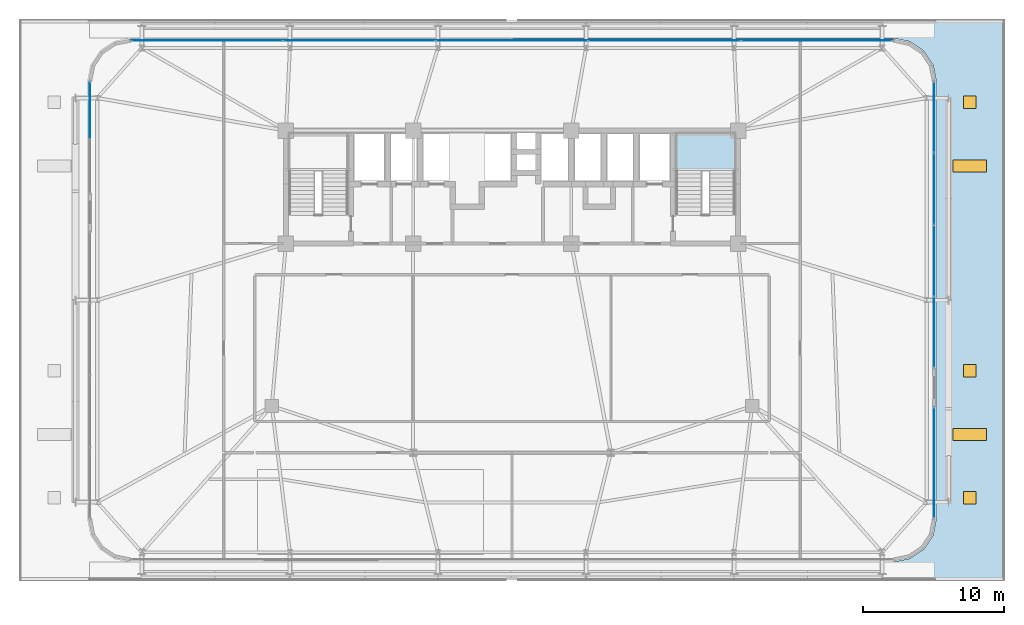
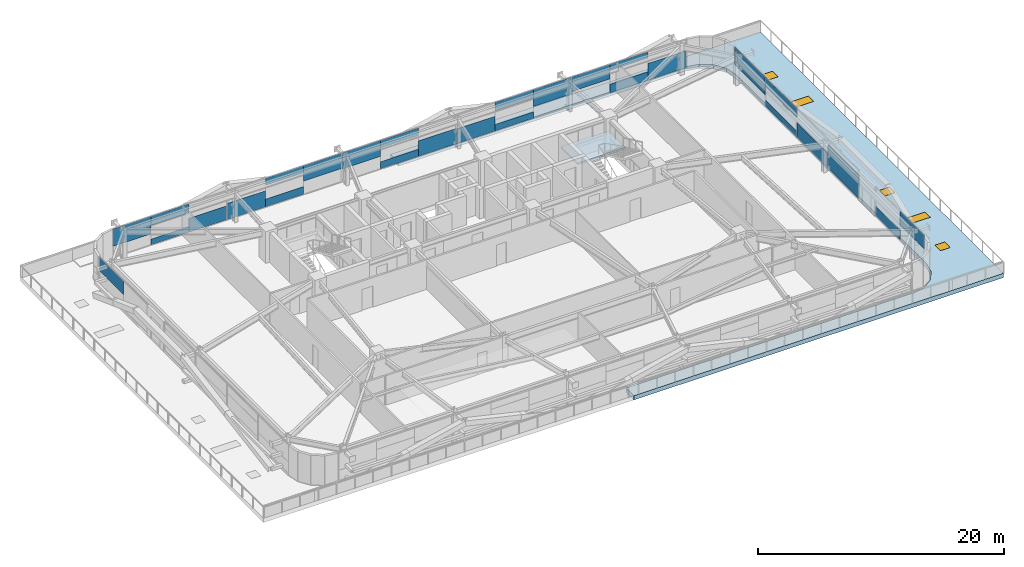
# One storey, part 40 of 56: 28 plates, 3 doors, 2 slabs, 2 windows, 5 openings, 5 elements without a shape of their own.
"""IFC4 building model written with IfcOpenShell, lengths in metres."""

from ifc_helpers import new_model, si_unit, direction, frame, origin, origin_2d, place, context, subcontext, project, spatial, polyline, rectangle, outline, extrude, source, transform, mapped, material, layer, layer_set, type_object, element, fill, aggregate, save


model = new_model("IFC4")

# Units and contexts
model_context = context("Model", 3, precision=1e-05, world=origin(), true_north=direction((0.0, 1.0)))
body_context = subcontext(model_context, "Body", "Model", "MODEL_VIEW")
ifc_project = project(units=[si_unit("LENGTHUNIT", "METRE"), si_unit("AREAUNIT", "SQUARE_METRE"), si_unit("VOLUMEUNIT", "CUBIC_METRE"), si_unit("PLANEANGLEUNIT", "RADIAN"), si_unit("MASSUNIT", "GRAM", prefix="KILO")], contexts=[model_context])

# Site, building, storey
site_placement = place(None, origin())
site = spatial("IfcSite", under=ifc_project, at=site_placement, CompositionType="ELEMENT")
building_placement = place(site_placement, origin())
building = spatial("IfcBuilding", under=site, at=building_placement, Name="Taldren Reach Tower", CompositionType="ELEMENT")
storey_placement = place(building_placement, frame((0.0, 0.0, 16.800048828125)))
storey = spatial("IfcBuildingStorey", under=building, at=storey_placement, Name="L04", CompositionType="ELEMENT", Elevation=16.800048828125)

# Stair, slab
ifc_material_1 = material(Name="Concrete S50 (50 MPa)", Category="concrete")
stair_type = type_object("IfcStairType", Name="ST-HT-315", PredefinedType="HALF_TURN_STAIR", material=ifc_material_1)
stair_placement = place(storey_placement, origin())
stair = element("IfcStair", 1, at=stair_placement, inside=storey, type_object=stair_type, Name="Fire-isolated exit stair ST2 L04", PredefinedType="HALF_TURN_STAIR")
ifc_layer_1 = layer(ifc_material_1, 0.179931640625)
ifc_layer_set_1 = layer_set([ifc_layer_1], Name="Concrete S50 (50 MPa)")
slab_type_1 = type_object("IfcSlabType", Name="SL-LAND-180", PredefinedType="LANDING", material=ifc_layer_set_1)
slab_1_placement = place(storey_placement, frame((0.0, 0.0, 1.39501953125)))
slab_1 = element("IfcSlab", 2, at=slab_1_placement, type_object=slab_type_1, Name="ST2 landing 1", PredefinedType="LANDING", context=body_context, shape_type="SweptSolid", body=[
    extrude(outline(polyline([(46.43994140625, 29.135009765625), (50.9599609375, 29.135009765625), (50.9599609375, 31.8701171875), (46.43994140625, 31.8701171875), (46.43994140625, 29.135009765625)])), origin(), (0.0, 0.0, 1.0), 0.179931640625),
])
aggregate(stair, [slab_1])

# Slab, openings, doors, windows
ifc_layer_2 = layer(ifc_material_1, 0.419921875)
ifc_layer_set_2 = layer_set([ifc_layer_2], Name="Concrete S50 (50 MPa)")
slab_type_2 = type_object("IfcSlabType", Name="SL-TERR-420", PredefinedType="FLOOR", material=ifc_layer_set_2)
slab_2_placement = place(storey_placement, frame((0.0, 0.0, -0.420166015625)))
slab_2 = element("IfcSlab", 3, at=slab_2_placement, inside=storey, type_object=slab_type_2, Name="Podium roof terrace East L04", PredefinedType="FLOOR", context=body_context, shape_type="SweptSolid", body=[
    extrude(outline(polyline([(35.02001953125, 39.800048828125), (69.800048828125, 39.800048828125), (69.800048828125, 0.199951171875), (35.02001953125, 0.199951171875), (35.02001953125, 1.469970703125), (62.0, 1.469970703125), (62.0029296875, 1.47021484375), (62.005859375, 1.470458984375), (63.15380859375, 1.698974609375), (63.15673828125, 1.69970703125), (63.159423828125, 1.70068359375), (63.162109375, 1.701904296875), (63.164794921875, 1.703369140625), (64.137939453125, 2.353759765625), (64.140380859375, 2.35546875), (64.142578125, 2.357421875), (64.14453125, 2.359619140625), (64.146240234375, 2.362060546875), (64.796630859375, 3.335205078125), (64.798095703125, 3.337890625), (64.79931640625, 3.340576171875), (64.80029296875, 3.34326171875), (64.801025390625, 3.34619140625), (65.029541015625, 4.494140625), (65.02978515625, 4.4970703125), (65.030029296875, 4.5), (65.030029296875, 35.5), (65.02978515625, 35.5029296875), (65.029541015625, 35.505859375), (64.801025390625, 36.65380859375), (64.80029296875, 36.65673828125), (64.79931640625, 36.659423828125), (64.798095703125, 36.662109375), (64.796630859375, 36.664794921875), (64.146240234375, 37.637939453125), (64.14453125, 37.640380859375), (64.142578125, 37.642578125), (64.140380859375, 37.64453125), (64.137939453125, 37.646240234375), (63.164794921875, 38.296630859375), (63.162109375, 38.298095703125), (63.159423828125, 38.29931640625), (63.15673828125, 38.30029296875), (63.15380859375, 38.301025390625), (62.005859375, 38.529541015625), (62.0029296875, 38.52978515625), (62.0, 38.530029296875), (35.02001953125, 38.530029296875), (35.02001953125, 39.800048828125)])), origin(), (0.0, 0.0, 1.0), 0.420166015625),
])
opening_1_placement = place(slab_2_placement, frame((67.39990234375, 10.5, -0.010009765625)))
opening_1 = element("IfcOpeningElement", 4, at=opening_1_placement, cuts=slab_2, Name="Opening SK-2408", PredefinedType="OPENING", context=body_context, shape_type="SweptSolid", body=[
    extrude(rectangle(XDim=2.39990234375, YDim=0.85009765625, at=origin_2d()), origin(), (0.0, 0.0, 1.0), 0.440185546875),
])
opening_2_placement = place(slab_2_placement, frame((67.39990234375, 29.5, -0.010009765625)))
opening_2 = element("IfcOpeningElement", 5, at=opening_2_placement, cuts=slab_2, Name="Opening SK-2408", PredefinedType="OPENING", context=body_context, shape_type="SweptSolid", body=[
    extrude(rectangle(XDim=2.39990234375, YDim=0.85009765625, at=origin_2d()), origin(), (0.0, 0.0, 1.0), 0.440185546875),
])
opening_3_placement = place(slab_2_placement, frame((67.39990234375, 6.0, -0.010009765625)))
opening_3 = element("IfcOpeningElement", 6, at=opening_3_placement, cuts=slab_2, Name="Opening RH-090", PredefinedType="OPENING", context=body_context, shape_type="SweptSolid", body=[
    extrude(rectangle(XDim=0.89990234375, YDim=0.89990234375, at=origin_2d()), origin(), (0.0, 0.0, 1.0), 0.440185546875),
])
opening_4_placement = place(slab_2_placement, frame((67.39990234375, 15.0, -0.010009765625)))
opening_4 = element("IfcOpeningElement", 7, at=opening_4_placement, cuts=slab_2, Name="Opening RH-090", PredefinedType="OPENING", context=body_context, shape_type="SweptSolid", body=[
    extrude(rectangle(XDim=0.89990234375, YDim=0.89990234375, at=origin_2d()), origin(), (0.0, 0.0, 1.0), 0.440185546875),
])
opening_5_placement = place(slab_2_placement, frame((67.39990234375, 34.0, -0.010009765625)))
opening_5 = element("IfcOpeningElement", 8, at=opening_5_placement, cuts=slab_2, Name="Opening RH-090", PredefinedType="OPENING", context=body_context, shape_type="SweptSolid", body=[
    extrude(rectangle(XDim=0.89990234375, YDim=0.89990234375, at=origin_2d()), origin(), (0.0, 0.0, 1.0), 0.440185546875),
])
ifc_material_2 = material(Name="Insulated Aluminium Roof Maintenance Access Hatch", Category="aluminium")
door_type = type_object("IfcDoorType", Name="HD-ROOF-900", OperationType="NOTDEFINED", PredefinedType="TRAPDOOR", material=ifc_material_2)
door_1_placement = place(slab_2_placement, frame((67.39990234375, 6.0, 0.3701171875)))
door_1 = element("IfcDoor", 9, at=door_1_placement, inside=storey, type_object=door_type, Name="Podium maintenance roof hatch RH-L04-E1", OperationType="NOTDEFINED", OverallHeight=0.89990234375, OverallWidth=0.89990234375, PredefinedType="TRAPDOOR", context=body_context, shape_type="SweptSolid", body=[
    extrude(rectangle(XDim=0.89990234375, YDim=0.89990234375, at=origin_2d()), origin(), (0.0, 0.0, 1.0), 0.050048828125),
])
fill(opening_3, door_1)
door_2_placement = place(slab_2_placement, frame((67.39990234375, 15.0, 0.3701171875)))
door_2 = element("IfcDoor", 10, at=door_2_placement, inside=storey, type_object=door_type, Name="Podium maintenance roof hatch RH-L04-E2", OperationType="NOTDEFINED", OverallHeight=0.89990234375, OverallWidth=0.89990234375, PredefinedType="TRAPDOOR", context=body_context, shape_type="SweptSolid", body=[
    extrude(rectangle(XDim=0.89990234375, YDim=0.89990234375, at=origin_2d()), origin(), (0.0, 0.0, 1.0), 0.050048828125),
])
fill(opening_4, door_2)
door_3_placement = place(slab_2_placement, frame((67.39990234375, 34.0, 0.3701171875)))
door_3 = element("IfcDoor", 11, at=door_3_placement, inside=storey, type_object=door_type, Name="Podium maintenance roof hatch RH-L04-E3", OperationType="NOTDEFINED", OverallHeight=0.89990234375, OverallWidth=0.89990234375, PredefinedType="TRAPDOOR", context=body_context, shape_type="SweptSolid", body=[
    extrude(rectangle(XDim=0.89990234375, YDim=0.89990234375, at=origin_2d()), origin(), (0.0, 0.0, 1.0), 0.050048828125),
])
fill(opening_5, door_3)
ifc_material_3 = material(Name="Thermally Broken Aluminium and Low-E IGU", Category="aluminium")
window_type = type_object("IfcWindowType", Name="SK-POD-2400", PartitioningType="SINGLE_PANEL", PredefinedType="SKYLIGHT", material=ifc_material_3)
window_1_placement = place(slab_2_placement, frame((67.39990234375, 10.5, 0.3701171875)))
window_1 = element("IfcWindow", 12, at=window_1_placement, inside=storey, type_object=window_type, Name="Podium clinic skylight SK-L04-3", OverallHeight=0.85009765625, OverallWidth=2.39990234375, PartitioningType="SINGLE_PANEL", PredefinedType="SKYLIGHT", context=body_context, shape_type="SweptSolid", body=[
    extrude(rectangle(XDim=2.39990234375, YDim=0.85009765625, at=origin_2d()), origin(), (0.0, 0.0, 1.0), 0.050048828125),
])
fill(opening_1, window_1)
window_2_placement = place(slab_2_placement, frame((67.39990234375, 29.5, 0.3701171875)))
window_2 = element("IfcWindow", 13, at=window_2_placement, inside=storey, type_object=window_type, Name="Podium clinic skylight SK-L04-4", OverallHeight=0.85009765625, OverallWidth=2.39990234375, PartitioningType="SINGLE_PANEL", PredefinedType="SKYLIGHT", context=body_context, shape_type="SweptSolid", body=[
    extrude(rectangle(XDim=2.39990234375, YDim=0.85009765625, at=origin_2d()), origin(), (0.0, 0.0, 1.0), 0.050048828125),
])
fill(opening_2, window_2)

# Curtain wall, plates
ifc_material_4 = material(Name="Aluminium and Low-E Glass Unitised System", Category="aluminium")
ifc_layer_3 = layer(ifc_material_4, 0.159912109375)
ifc_layer_set_3 = layer_set([ifc_layer_3], Name="Aluminium and Low-E Glass Unitised System")
curtain_wall_type = type_object("IfcCurtainWallType", Name="CW-SYS-2", PredefinedType="NOTDEFINED", material=ifc_layer_set_3)
curtain_wall_1_placement = place(storey_placement, origin())
curtain_wall_1 = element("IfcCurtainWall", 14, at=curtain_wall_1_placement, inside=storey, type_object=curtain_wall_type, Name="Unitised curtain wall CW-L04-N", PredefinedType="NOTDEFINED")
ifc_material_5 = material(Name="Solar-Control Double Glazed IGU", Category="glass")
ifc_layer_4 = layer(ifc_material_5, 0.031982421875)
ifc_layer_set_4 = layer_set([ifc_layer_4], Name="Solar-Control Double Glazed IGU")
plate_type = type_object("IfcPlateType", Name="CW-PNL-IGU32", PredefinedType="CURTAIN_PANEL", material=ifc_layer_set_4)
shared_shape_1 = source(origin(), body_context, "Body", "SweptSolid", [
    extrude(rectangle(XDim=3.5673828125, YDim=0.031982421875, at=origin_2d()), origin(), (0.0, 0.0, 1.0), 1.7314453125),
])
plate_1_placement = place(storey_placement, frame((9.8486328125, 38.360107421875, 1.1435546875), z_axis=(0.0, 0.0, 1.0), x_axis=(-1.0, 0.0, 0.0)))
plate_1 = element("IfcPlate", 15, at=plate_1_placement, type_object=plate_type, Name="CW-2 panel 5.1 part 4", PredefinedType="CURTAIN_PANEL", context=body_context, shape_type="MappedRepresentation", body=[
    mapped(shared_shape_1, transform((0.0, 0.0, 0.0), scale=1.0)),
])
shared_shape_2 = source(origin(), body_context, "Body", "SweptSolid", [
    extrude(rectangle(XDim=3.5673828125, YDim=0.031982421875, at=origin_2d()), origin(), (0.0, 0.0, 1.0), 0.554931640625),
])
plate_2_placement = place(storey_placement, frame((13.416259765625, 38.360107421875, 0.05517578125), z_axis=(0.0, 0.0, 1.0), x_axis=(-1.0, 0.0, 0.0)))
plate_2 = element("IfcPlate", 16, at=plate_2_placement, type_object=plate_type, Name="CW-2 panel 5.1 part 2", PredefinedType="CURTAIN_PANEL", context=body_context, shape_type="MappedRepresentation", body=[
    mapped(shared_shape_2, transform((0.0, 0.0, 0.0), scale=1.0)),
])
shared_shape_3 = source(origin(), body_context, "Body", "SweptSolid", [
    extrude(rectangle(XDim=3.5673828125, YDim=0.031982421875, at=origin_2d()), origin(), (0.0, 0.0, 1.0), 0.904296875),
])
plate_3_placement = place(storey_placement, frame((13.416259765625, 38.360107421875, 1.970703125), z_axis=(0.0, 0.0, 1.0), x_axis=(-1.0, 0.0, 0.0)))
plate_3 = element("IfcPlate", 17, at=plate_3_placement, type_object=plate_type, Name="CW-2 panel 5.1 part 3", PredefinedType="CURTAIN_PANEL", context=body_context, shape_type="MappedRepresentation", body=[
    mapped(shared_shape_3, transform((0.0, 0.0, 0.0), scale=1.0)),
])
shared_shape_4 = source(origin(), body_context, "Body", "SweptSolid", [
    extrude(rectangle(XDim=3.5673828125, YDim=0.031982421875, at=origin_2d()), origin(), (0.0, 0.0, 1.0), 1.38232421875),
])
plate_4_placement = place(storey_placement, frame((16.983642578125, 38.360107421875, 0.054931640625), z_axis=(0.0, 0.0, 1.0), x_axis=(-1.0, 0.0, 0.0)))
plate_4 = element("IfcPlate", 18, at=plate_4_placement, type_object=plate_type, Name="CW-2 panel 5.1 part 1", PredefinedType="CURTAIN_PANEL", context=body_context, shape_type="MappedRepresentation", body=[
    mapped(shared_shape_4, transform((0.0, 0.0, 0.0), scale=1.0)),
])
shared_shape_5 = source(origin(), body_context, "Body", "SweptSolid", [
    extrude(rectangle(XDim=3.578369140625, YDim=0.031982421875, at=origin_2d()), origin(), (0.0, 0.0, 1.0), 1.602294921875),
])
plate_5_placement = place(storey_placement, frame((20.62158203125, 38.360107421875, 0.05517578125), z_axis=(0.0, 0.0, 1.0), x_axis=(-1.0, 0.0, 0.0)))
plate_5 = element("IfcPlate", 19, at=plate_5_placement, type_object=plate_type, Name="CW-2 panel 4.1 part 4", PredefinedType="CURTAIN_PANEL", context=body_context, shape_type="MappedRepresentation", body=[
    mapped(shared_shape_5, transform((0.0, 0.0, 0.0), scale=1.0)),
])
shared_shape_6 = source(origin(), body_context, "Body", "SweptSolid", [
    extrude(rectangle(XDim=3.578369140625, YDim=0.031982421875, at=origin_2d()), origin(), (0.0, 0.0, 1.0), 0.7724609375),
])
plate_6_placement = place(storey_placement, frame((24.199951171875, 38.360107421875, 0.054931640625), z_axis=(0.0, 0.0, 1.0), x_axis=(-1.0, 0.0, 0.0)))
plate_6 = element("IfcPlate", 20, at=plate_6_placement, type_object=plate_type, Name="CW-2 panel 4.1 part 2", PredefinedType="CURTAIN_PANEL", context=body_context, shape_type="MappedRepresentation", body=[
    mapped(shared_shape_6, transform((0.0, 0.0, 0.0), scale=1.0)),
])
shared_shape_7 = source(origin(), body_context, "Body", "SweptSolid", [
    extrude(rectangle(XDim=3.578369140625, YDim=0.031982421875, at=origin_2d()), origin(), (0.0, 0.0, 1.0), 0.68408203125),
])
plate_7_placement = place(storey_placement, frame((24.199951171875, 38.360107421875, 2.19091796875), z_axis=(0.0, 0.0, 1.0), x_axis=(-1.0, 0.0, 0.0)))
plate_7 = element("IfcPlate", 21, at=plate_7_placement, type_object=plate_type, Name="CW-2 panel 4.1 part 3", PredefinedType="CURTAIN_PANEL", context=body_context, shape_type="MappedRepresentation", body=[
    mapped(shared_shape_7, transform((0.0, 0.0, 0.0), scale=1.0)),
])
shared_shape_8 = source(origin(), body_context, "Body", "SweptSolid", [
    extrude(rectangle(XDim=3.578369140625, YDim=0.031982421875, at=origin_2d()), origin(), (0.0, 0.0, 1.0), 1.513916015625),
])
plate_8_placement = place(storey_placement, frame((27.7783203125, 38.360107421875, 1.36083984375), z_axis=(0.0, 0.0, 1.0), x_axis=(-1.0, 0.0, 0.0)))
plate_8 = element("IfcPlate", 22, at=plate_8_placement, type_object=plate_type, Name="CW-2 panel 4.1 part 1", PredefinedType="CURTAIN_PANEL", context=body_context, shape_type="MappedRepresentation", body=[
    mapped(shared_shape_8, transform((0.0, 0.0, 0.0), scale=1.0)),
])
shared_shape_9 = source(origin(), body_context, "Body", "SweptSolid", [
    extrude(rectangle(XDim=3.578369140625, YDim=0.031982421875, at=origin_2d()), origin(), (0.0, 0.0, 1.0), 1.588134765625),
])
plate_9_placement = place(storey_placement, frame((31.421630859375, 38.360107421875, 1.28662109375), z_axis=(0.0, 0.0, 1.0), x_axis=(-1.0, 0.0, 0.0)))
plate_9 = element("IfcPlate", 23, at=plate_9_placement, type_object=plate_type, Name="CW-2 panel 3.1 part 4", PredefinedType="CURTAIN_PANEL", context=body_context, shape_type="MappedRepresentation", body=[
    mapped(shared_shape_9, transform((0.0, 0.0, 0.0), scale=1.0)),
])
shared_shape_10 = source(origin(), body_context, "Body", "SweptSolid", [
    extrude(rectangle(XDim=3.578369140625, YDim=0.031982421875, at=origin_2d()), origin(), (0.0, 0.0, 1.0), 0.698486328125),
])
plate_10_placement = place(storey_placement, frame((35.0, 38.360107421875, 0.0546875), z_axis=(0.0, 0.0, 1.0), x_axis=(-1.0, 0.0, 0.0)))
plate_10 = element("IfcPlate", 24, at=plate_10_placement, type_object=plate_type, Name="CW-2 panel 3.1 part 2", PredefinedType="CURTAIN_PANEL", context=body_context, shape_type="MappedRepresentation", body=[
    mapped(shared_shape_10, transform((0.0, 0.0, 0.0), scale=1.0)),
])
shared_shape_11 = source(origin(), body_context, "Body", "SweptSolid", [
    extrude(rectangle(XDim=3.578369140625, YDim=0.031982421875, at=origin_2d()), origin(), (0.0, 0.0, 1.0), 0.75830078125),
])
plate_11_placement = place(storey_placement, frame((35.0, 38.360107421875, 2.11669921875), z_axis=(0.0, 0.0, 1.0), x_axis=(-1.0, 0.0, 0.0)))
plate_11 = element("IfcPlate", 25, at=plate_11_placement, type_object=plate_type, Name="CW-2 panel 3.1 part 3", PredefinedType="CURTAIN_PANEL", context=body_context, shape_type="MappedRepresentation", body=[
    mapped(shared_shape_11, transform((0.0, 0.0, 0.0), scale=1.0)),
])
shared_shape_12 = source(origin(), body_context, "Body", "SweptSolid", [
    extrude(rectangle(XDim=3.578369140625, YDim=0.031982421875, at=origin_2d()), origin(), (0.0, 0.0, 1.0), 1.528076171875),
])
plate_12_placement = place(storey_placement, frame((38.578369140625, 38.360107421875, 0.05517578125), z_axis=(0.0, 0.0, 1.0), x_axis=(-1.0, 0.0, 0.0)))
plate_12 = element("IfcPlate", 26, at=plate_12_placement, type_object=plate_type, Name="CW-2 panel 3.1 part 1", PredefinedType="CURTAIN_PANEL", context=body_context, shape_type="MappedRepresentation", body=[
    mapped(shared_shape_12, transform((0.0, 0.0, 0.0), scale=1.0)),
])
shared_shape_13 = source(origin(), body_context, "Body", "SweptSolid", [
    extrude(rectangle(XDim=3.578369140625, YDim=0.031982421875, at=origin_2d()), origin(), (0.0, 0.0, 1.0), 1.453857421875),
])
plate_13_placement = place(storey_placement, frame((42.2216796875, 38.360107421875, 0.05517578125), z_axis=(0.0, 0.0, 1.0), x_axis=(-1.0, 0.0, 0.0)))
plate_13 = element("IfcPlate", 27, at=plate_13_placement, type_object=plate_type, Name="CW-2 panel 2.1 part 4", PredefinedType="CURTAIN_PANEL", context=body_context, shape_type="MappedRepresentation", body=[
    mapped(shared_shape_13, transform((0.0, 0.0, 0.0), scale=1.0)),
])
shared_shape_14 = source(origin(), body_context, "Body", "SweptSolid", [
    extrude(rectangle(XDim=3.578369140625, YDim=0.031982421875, at=origin_2d()), origin(), (0.0, 0.0, 1.0), 0.624267578125),
])
plate_14_placement = place(storey_placement, frame((45.800048828125, 38.360107421875, 0.0546875), z_axis=(0.0, 0.0, 1.0), x_axis=(-1.0, 0.0, 0.0)))
plate_14 = element("IfcPlate", 28, at=plate_14_placement, type_object=plate_type, Name="CW-2 panel 2.1 part 2", PredefinedType="CURTAIN_PANEL", context=body_context, shape_type="MappedRepresentation", body=[
    mapped(shared_shape_14, transform((0.0, 0.0, 0.0), scale=1.0)),
])
shared_shape_15 = source(origin(), body_context, "Body", "SweptSolid", [
    extrude(rectangle(XDim=3.578369140625, YDim=0.031982421875, at=origin_2d()), origin(), (0.0, 0.0, 1.0), 0.83251953125),
])
plate_15_placement = place(storey_placement, frame((45.800048828125, 38.360107421875, 2.04248046875), z_axis=(0.0, 0.0, 1.0), x_axis=(-1.0, 0.0, 0.0)))
plate_15 = element("IfcPlate", 29, at=plate_15_placement, type_object=plate_type, Name="CW-2 panel 2.1 part 3", PredefinedType="CURTAIN_PANEL", context=body_context, shape_type="MappedRepresentation", body=[
    mapped(shared_shape_15, transform((0.0, 0.0, 0.0), scale=1.0)),
])
shared_shape_16 = source(origin(), body_context, "Body", "SweptSolid", [
    extrude(rectangle(XDim=3.578369140625, YDim=0.031982421875, at=origin_2d()), origin(), (0.0, 0.0, 1.0), 1.662353515625),
])
plate_16_placement = place(storey_placement, frame((49.37841796875, 38.360107421875, 1.21240234375), z_axis=(0.0, 0.0, 1.0), x_axis=(-1.0, 0.0, 0.0)))
plate_16 = element("IfcPlate", 30, at=plate_16_placement, type_object=plate_type, Name="CW-2 panel 2.1 part 1", PredefinedType="CURTAIN_PANEL", context=body_context, shape_type="MappedRepresentation", body=[
    mapped(shared_shape_16, transform((0.0, 0.0, 0.0), scale=1.0)),
])
shared_shape_17 = source(origin(), body_context, "Body", "SweptSolid", [
    extrude(rectangle(XDim=3.5673828125, YDim=0.031982421875, at=origin_2d()), origin(), (0.0, 0.0, 1.0), 1.442138671875),
])
plate_17_placement = place(storey_placement, frame((53.016357421875, 38.360107421875, 1.4326171875), z_axis=(0.0, 0.0, 1.0), x_axis=(-1.0, 0.0, 0.0)))
plate_17 = element("IfcPlate", 31, at=plate_17_placement, type_object=plate_type, Name="CW-2 panel 1.1 part 4", PredefinedType="CURTAIN_PANEL", context=body_context, shape_type="MappedRepresentation", body=[
    mapped(shared_shape_17, transform((0.0, 0.0, 0.0), scale=1.0)),
])
shared_shape_18 = source(origin(), body_context, "Body", "SweptSolid", [
    extrude(rectangle(XDim=3.5673828125, YDim=0.031982421875, at=origin_2d()), origin(), (0.0, 0.0, 1.0), 0.84423828125),
])
plate_18_placement = place(storey_placement, frame((56.583740234375, 38.360107421875, 0.054931640625), z_axis=(0.0, 0.0, 1.0), x_axis=(-1.0, 0.0, 0.0)))
plate_18 = element("IfcPlate", 32, at=plate_18_placement, type_object=plate_type, Name="CW-2 panel 1.1 part 2", PredefinedType="CURTAIN_PANEL", context=body_context, shape_type="MappedRepresentation", body=[
    mapped(shared_shape_18, transform((0.0, 0.0, 0.0), scale=1.0)),
])
shared_shape_19 = source(origin(), body_context, "Body", "SweptSolid", [
    extrude(rectangle(XDim=3.5673828125, YDim=0.031982421875, at=origin_2d()), origin(), (0.0, 0.0, 1.0), 0.614990234375),
])
plate_19_placement = place(storey_placement, frame((56.583740234375, 38.360107421875, 2.259765625), z_axis=(0.0, 0.0, 1.0), x_axis=(-1.0, 0.0, 0.0)))
plate_19 = element("IfcPlate", 33, at=plate_19_placement, type_object=plate_type, Name="CW-2 panel 1.1 part 3", PredefinedType="CURTAIN_PANEL", context=body_context, shape_type="MappedRepresentation", body=[
    mapped(shared_shape_19, transform((0.0, 0.0, 0.0), scale=1.0)),
])
shared_shape_20 = source(origin(), body_context, "Body", "SweptSolid", [
    extrude(rectangle(XDim=3.5673828125, YDim=0.031982421875, at=origin_2d()), origin(), (0.0, 0.0, 1.0), 1.67138671875),
])
plate_20_placement = place(storey_placement, frame((60.1513671875, 38.360107421875, 0.054931640625), z_axis=(0.0, 0.0, 1.0), x_axis=(-1.0, 0.0, 0.0)))
plate_20 = element("IfcPlate", 34, at=plate_20_placement, type_object=plate_type, Name="CW-2 panel 1.1 part 1", PredefinedType="CURTAIN_PANEL", context=body_context, shape_type="MappedRepresentation", body=[
    mapped(shared_shape_20, transform((0.0, 0.0, 0.0), scale=1.0)),
])
aggregate(curtain_wall_1, [plate_20, plate_18, plate_19, plate_17, plate_16, plate_14, plate_15, plate_13, plate_12, plate_10, plate_11, plate_9, plate_8, plate_6, plate_7, plate_5, plate_4, plate_2, plate_3, plate_1])

# Curtain wall, plate
curtain_wall_2_placement = place(storey_placement, origin())
curtain_wall_2 = element("IfcCurtainWall", 35, at=curtain_wall_2_placement, inside=storey, type_object=curtain_wall_type, Name="Unitised curtain wall CW-L04-W1", PredefinedType="NOTDEFINED")
shared_shape_21 = source(origin(), body_context, "Body", "SweptSolid", [
    extrude(rectangle(XDim=3.909912109375, YDim=0.031982421875, at=origin_2d()), origin(), (0.0, 0.0, 1.0), 1.3564453125),
])
plate_21_placement = place(storey_placement, frame((5.139892578125, 33.47998046875, 1.5185546875), z_axis=(0.0, 0.0, 1.0), x_axis=(0.0, -1.0, 0.0)))
plate_21 = element("IfcPlate", 36, at=plate_21_placement, type_object=plate_type, Name="CW-2 panel 1.1 part 1", PredefinedType="CURTAIN_PANEL", context=body_context, shape_type="MappedRepresentation", body=[
    mapped(shared_shape_21, transform((0.0, 0.0, 0.0), scale=1.0)),
])
aggregate(curtain_wall_2, [plate_21])

# Curtain wall, plates
curtain_wall_3_placement = place(storey_placement, origin())
curtain_wall_3 = element("IfcCurtainWall", 37, at=curtain_wall_3_placement, inside=storey, type_object=curtain_wall_type, Name="Unitised curtain wall CW-L04-E1", PredefinedType="NOTDEFINED")
plate_22_placement = place(storey_placement, frame((64.860107421875, 6.52001953125, 1.5185546875), z_axis=(0.0, 0.0, 1.0), x_axis=(0.0, 1.0, 0.0)))
plate_22 = element("IfcPlate", 38, at=plate_22_placement, type_object=plate_type, Name="CW-2 panel 1.1 part 1", PredefinedType="CURTAIN_PANEL", context=body_context, shape_type="MappedRepresentation", body=[
    mapped(shared_shape_21, transform((0.0, 0.0, 0.0), scale=1.0)),
])
shared_shape_22 = source(origin(), body_context, "Body", "SweptSolid", [
    extrude(rectangle(XDim=3.909912109375, YDim=0.031982421875, at=origin_2d()), origin(), (0.0, 0.0, 1.0), 0.909912109375),
])
plate_23_placement = place(storey_placement, frame((64.860107421875, 10.429931640625, 0.05517578125), z_axis=(0.0, 0.0, 1.0), x_axis=(0.0, 1.0, 0.0)))
plate_23 = element("IfcPlate", 39, at=plate_23_placement, type_object=plate_type, Name="CW-2 panel 1.1 part 2", PredefinedType="CURTAIN_PANEL", context=body_context, shape_type="MappedRepresentation", body=[
    mapped(shared_shape_22, transform((0.0, 0.0, 0.0), scale=1.0)),
])
aggregate(curtain_wall_3, [plate_22, plate_23])

curtain_wall_4_placement = place(storey_placement, origin())
curtain_wall_4 = element("IfcCurtainWall", 40, at=curtain_wall_4_placement, inside=storey, type_object=curtain_wall_type, Name="Unitised curtain wall CW-L04-E2", PredefinedType="NOTDEFINED")
shared_shape_23 = source(origin(), body_context, "Body", "SweptSolid", [
    extrude(rectangle(XDim=4.989990234375, YDim=0.031982421875, at=origin_2d()), origin(), (0.0, 0.0, 1.0), 2.296630859375),
])
plate_24_placement = place(storey_placement, frame((64.860107421875, 17.7099609375, 0.0546875), z_axis=(0.0, 0.0, 1.0), x_axis=(0.0, 1.0, 0.0)))
plate_24 = element("IfcPlate", 41, at=plate_24_placement, type_object=plate_type, Name="CW-2 panel 1.1 part 1", PredefinedType="CURTAIN_PANEL", context=body_context, shape_type="MappedRepresentation", body=[
    mapped(shared_shape_23, transform((0.0, 0.0, 0.0), scale=1.0)),
])
shared_shape_24 = source(origin(), body_context, "Body", "SweptSolid", [
    extrude(rectangle(XDim=5.0224609375, YDim=0.031982421875, at=origin_2d()), origin(), (0.0, 0.0, 1.0), 1.431884765625),
])
plate_25_placement = place(storey_placement, frame((64.860107421875, 22.78125, 0.05517578125), z_axis=(0.0, 0.0, 1.0), x_axis=(0.0, 1.0, 0.0)))
plate_25 = element("IfcPlate", 42, at=plate_25_placement, type_object=plate_type, Name="CW-2 panel 2.1 part 1", PredefinedType="CURTAIN_PANEL", context=body_context, shape_type="MappedRepresentation", body=[
    mapped(shared_shape_24, transform((0.0, 0.0, 0.0), scale=1.0)),
])
shared_shape_25 = source(origin(), body_context, "Body", "SweptSolid", [
    extrude(rectangle(XDim=5.0224609375, YDim=0.031982421875, at=origin_2d()), origin(), (0.0, 0.0, 1.0), 0.5673828125),
])
plate_26_placement = place(storey_placement, frame((64.860107421875, 27.86865234375, 0.054931640625), z_axis=(0.0, 0.0, 1.0), x_axis=(0.0, 1.0, 0.0)))
plate_26 = element("IfcPlate", 43, at=plate_26_placement, type_object=plate_type, Name="CW-2 panel 3.1 part 1", PredefinedType="CURTAIN_PANEL", context=body_context, shape_type="MappedRepresentation", body=[
    mapped(shared_shape_25, transform((0.0, 0.0, 0.0), scale=1.0)),
])
shared_shape_26 = source(origin(), body_context, "Body", "SweptSolid", [
    extrude(rectangle(XDim=5.0224609375, YDim=0.031982421875, at=origin_2d()), origin(), (0.0, 0.0, 1.0), 0.871826171875),
])
plate_27_placement = place(storey_placement, frame((64.860107421875, 27.86865234375, 2.0029296875), z_axis=(0.0, 0.0, 1.0), x_axis=(0.0, 1.0, 0.0)))
plate_27 = element("IfcPlate", 44, at=plate_27_placement, type_object=plate_type, Name="CW-2 panel 3.1 part 2", PredefinedType="CURTAIN_PANEL", context=body_context, shape_type="MappedRepresentation", body=[
    mapped(shared_shape_26, transform((0.0, 0.0, 0.0), scale=1.0)),
])
shared_shape_27 = source(origin(), body_context, "Body", "SweptSolid", [
    extrude(rectangle(XDim=4.989990234375, YDim=0.031982421875, at=origin_2d()), origin(), (0.0, 0.0, 1.0), 1.736328125),
])
plate_28_placement = place(storey_placement, frame((64.860107421875, 32.93994140625, 1.138671875), z_axis=(0.0, 0.0, 1.0), x_axis=(0.0, 1.0, 0.0)))
plate_28 = element("IfcPlate", 45, at=plate_28_placement, type_object=plate_type, Name="CW-2 panel 4.1 part 1", PredefinedType="CURTAIN_PANEL", context=body_context, shape_type="MappedRepresentation", body=[
    mapped(shared_shape_27, transform((0.0, 0.0, 0.0), scale=1.0)),
])
aggregate(curtain_wall_4, [plate_24, plate_25, plate_26, plate_27, plate_28])

save(model, "model.ifc")
